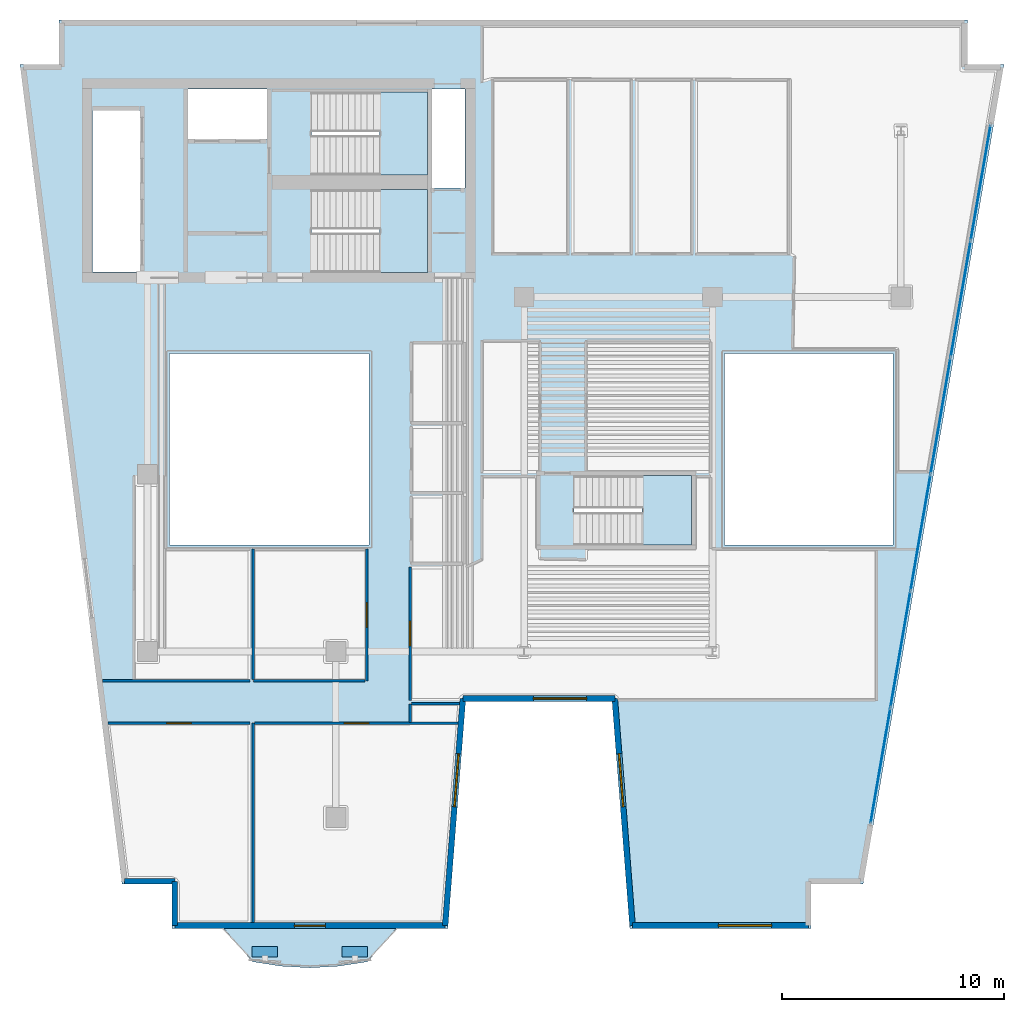
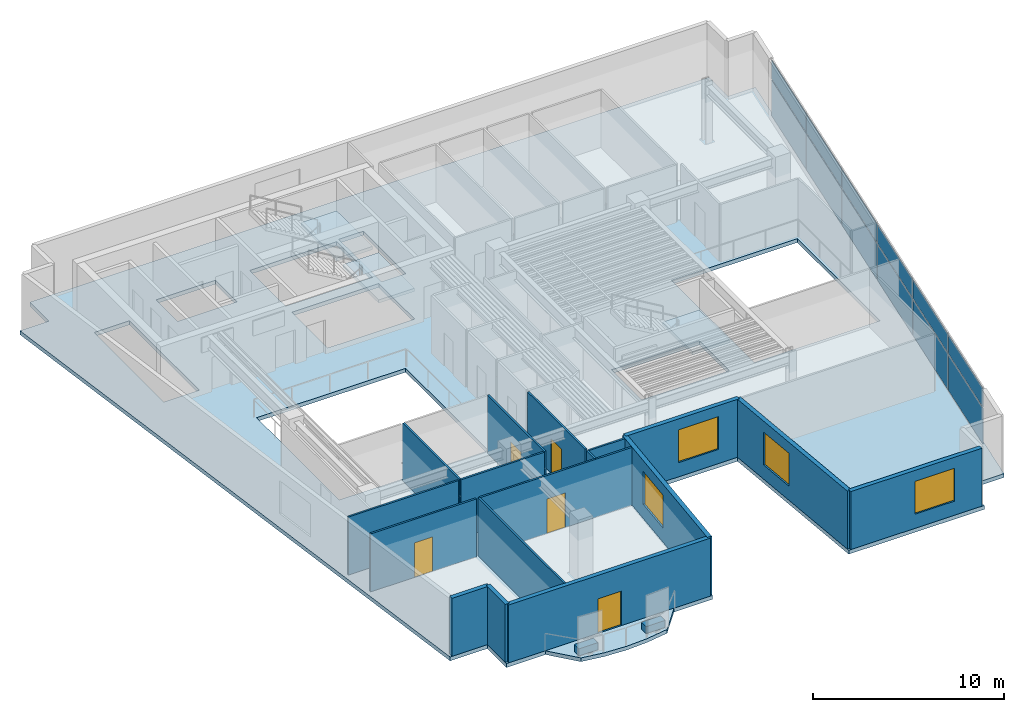
# One storey, part 3 of 9: 17 walls, 14 plates, 5 doors, 5 slabs, 4 windows, 9 openings, 4 elements without a shape of their own.
"""IFC4 building model written with IfcOpenShell, lengths in metres."""

from ifc_helpers import new_model, si_unit, direction, frame, frame_2d, origin, origin_2d, place, context, subcontext, project, spatial, polyline, rectangle, outline, extrude, material, layer, layer_set, type_object, element, fill, aggregate, save


model = new_model("IFC4")

# Units and contexts
model_context = context("Model", 3, precision=1e-05, world=origin(), true_north=direction((0.0, 1.0)))
body_context = subcontext(model_context, "Body", "Model", "MODEL_VIEW")
ifc_project = project(units=[si_unit("LENGTHUNIT", "METRE"), si_unit("AREAUNIT", "SQUARE_METRE"), si_unit("VOLUMEUNIT", "CUBIC_METRE"), si_unit("PLANEANGLEUNIT", "RADIAN"), si_unit("MASSUNIT", "GRAM", prefix="KILO")], contexts=[model_context])

# Site, building, storey
site_placement = place(None, origin())
site = spatial("IfcSite", under=ifc_project, at=site_placement, CompositionType="ELEMENT")
building_placement = place(site_placement, origin())
building = spatial("IfcBuilding", under=site, at=building_placement, Name="Caeloran Harvest Quay", CompositionType="ELEMENT")
storey_placement = place(building_placement, frame((0.0, 0.0, 199.550048828125)))
storey = spatial("IfcBuildingStorey", under=building, at=storey_placement, Name="L47", CompositionType="ELEMENT", Elevation=199.550048828125)

# Slab
ifc_material_1 = material(Name="Concrete C50/60", Category="concrete")
ifc_layer_1 = layer(ifc_material_1, 0.239990234375, Name="Concrete C50/60")
ifc_layer_set_1 = layer_set([ifc_layer_1], Name="Concrete C50/60")
slab_type_1 = type_object("IfcSlabType", Name="BALCONY-BL-240", PredefinedType="FLOOR", material=ifc_layer_set_1)
slab_1_placement = place(storey_placement, frame((0.0, 0.0, -0.239990234375)))
element("IfcSlab", 1, at=slab_1_placement, inside=storey, type_object=slab_type_1, Name="L47 Scalloped Cantilevered Planted Balcony Slab", PredefinedType="FLOOR", context=body_context, shape_type="SweptSolid", body=[
    extrude(outline(polyline([(18.43798828125, 1.002685546875), (17.136474609375, 0.7998046875), (15.834716796875, 0.7255859375), (14.533203125, 0.7998046875), (13.2314453125, 1.002685546875), (11.947021484375, 2.5), (19.72265625, 2.5), (18.43798828125, 1.002685546875)])), origin(), (0.0, 0.0, 1.0), 0.239990234375),
])

# Curtain wall, plates
ifc_material_2 = material(Name="Aluminium 6063-T6 and Low-E Glazing", Category="aluminium")
ifc_layer_2 = layer(ifc_material_2, 0.2099609375, Name="Aluminium 6063-T6 and Low-E Glazing")
ifc_layer_set_2 = layer_set([ifc_layer_2], Name="Aluminium 6063-T6 and Low-E Glazing")
curtain_wall_type = type_object("IfcCurtainWallType", Name="CW-SYS-CW-4", PredefinedType="USERDEFINED", material=ifc_layer_set_2)
curtain_wall_placement = place(storey_placement, origin())
curtain_wall = element("IfcCurtainWall", 2, at=curtain_wall_placement, inside=storey, type_object=curtain_wall_type, Name="L47 Unitised Curtain Wall CW-4 Run 9", ObjectType="CURTAIN_WALL", PredefinedType="USERDEFINED")
ifc_material_3 = material(Name="Low-E Double Glazed Vision Glass Unit", Category="glass")
ifc_layer_3 = layer(ifc_material_3, 0.035888671875, Name="Low-E Double Glazed Vision Glass Unit")
ifc_layer_set_3 = layer_set([ifc_layer_3], Name="Low-E Double Glazed Vision Glass Unit")
plate_type_1 = type_object("IfcPlateType", Name="CW-VISION-PANEL", PredefinedType="CURTAIN_PANEL", material=ifc_layer_set_3)
plate_1_placement = place(storey_placement, frame((46.105224609375, 36.1533203125, 0.080078125), z_axis=(0.0, 0.0, 1.0), x_axis=(-0.169392351048, -0.985548695604, 0.0)))
plate_1 = element("IfcPlate", 3, at=plate_1_placement, type_object=plate_type_1, Name="CW-4 panel 1.1", PredefinedType="CURTAIN_PANEL", context=body_context, shape_type="SweptSolid", body=[
    extrude(rectangle(XDim=5.2265625, YDim=0.035888671875, at=origin_2d()), origin(), (0.0, 0.0, 1.0), 2.280029296875),
])
plate_2_placement = place(storey_placement, frame((46.105224609375, 36.1533203125, 2.43994140625), z_axis=(0.0, 0.0, 1.0), x_axis=(-0.169392351048, -0.985548695604, 0.0)))
plate_2 = element("IfcPlate", 4, at=plate_2_placement, type_object=plate_type_1, Name="CW-4 panel 1.2", PredefinedType="CURTAIN_PANEL", context=body_context, shape_type="SweptSolid", body=[
    extrude(rectangle(XDim=5.2265625, YDim=0.035888671875, at=origin_2d()), origin(), (0.0, 0.0, 1.0), 1.179931640625),
])
plate_3_placement = place(storey_placement, frame((45.203125, 30.90380859375, 0.080078125), z_axis=(0.0, 0.0, 1.0), x_axis=(-0.169392351048, -0.985548695604, 0.0)))
plate_3 = element("IfcPlate", 5, at=plate_3_placement, type_object=plate_type_1, Name="CW-4 panel 2.1", PredefinedType="CURTAIN_PANEL", context=body_context, shape_type="SweptSolid", body=[
    extrude(rectangle(XDim=5.266357421875, YDim=0.035888671875, at=origin_2d()), origin(), (0.0, 0.0, 1.0), 2.280029296875),
])
plate_4_placement = place(storey_placement, frame((45.203125, 30.90380859375, 2.43994140625), z_axis=(0.0, 0.0, 1.0), x_axis=(-0.169392351048, -0.985548695604, 0.0)))
plate_4 = element("IfcPlate", 6, at=plate_4_placement, type_object=plate_type_1, Name="CW-4 panel 2.2", PredefinedType="CURTAIN_PANEL", context=body_context, shape_type="SweptSolid", body=[
    extrude(rectangle(XDim=5.266357421875, YDim=0.035888671875, at=origin_2d()), origin(), (0.0, 0.0, 1.0), 1.179931640625),
])
plate_5_placement = place(storey_placement, frame((44.29736328125, 25.634521484375, 0.080078125), z_axis=(0.0, 0.0, 1.0), x_axis=(-0.169392351048, -0.985548695604, 0.0)))
plate_5 = element("IfcPlate", 7, at=plate_5_placement, type_object=plate_type_1, Name="CW-4 panel 3.1", PredefinedType="CURTAIN_PANEL", context=body_context, shape_type="SweptSolid", body=[
    extrude(rectangle(XDim=5.266357421875, YDim=0.035888671875, at=origin_2d()), origin(), (0.0, 0.0, 1.0), 2.280029296875),
])
plate_6_placement = place(storey_placement, frame((44.29736328125, 25.634521484375, 2.43994140625), z_axis=(0.0, 0.0, 1.0), x_axis=(-0.169392351048, -0.985548695604, 0.0)))
plate_6 = element("IfcPlate", 8, at=plate_6_placement, type_object=plate_type_1, Name="CW-4 panel 3.2", PredefinedType="CURTAIN_PANEL", context=body_context, shape_type="SweptSolid", body=[
    extrude(rectangle(XDim=5.266357421875, YDim=0.035888671875, at=origin_2d()), origin(), (0.0, 0.0, 1.0), 1.179931640625),
])
plate_7_placement = place(storey_placement, frame((43.391845703125, 20.365478515625, 0.080078125), z_axis=(0.0, 0.0, 1.0), x_axis=(-0.169392351048, -0.985548695604, 0.0)))
plate_7 = element("IfcPlate", 9, at=plate_7_placement, type_object=plate_type_1, Name="CW-4 panel 4.1", PredefinedType="CURTAIN_PANEL", context=body_context, shape_type="SweptSolid", body=[
    extrude(rectangle(XDim=5.266357421875, YDim=0.035888671875, at=origin_2d()), origin(), (0.0, 0.0, 1.0), 2.280029296875),
])
plate_8_placement = place(storey_placement, frame((43.391845703125, 20.365478515625, 2.43994140625), z_axis=(0.0, 0.0, 1.0), x_axis=(-0.169392351048, -0.985548695604, 0.0)))
plate_8 = element("IfcPlate", 10, at=plate_8_placement, type_object=plate_type_1, Name="CW-4 panel 4.2", PredefinedType="CURTAIN_PANEL", context=body_context, shape_type="SweptSolid", body=[
    extrude(rectangle(XDim=5.266357421875, YDim=0.035888671875, at=origin_2d()), origin(), (0.0, 0.0, 1.0), 1.179931640625),
])
plate_9_placement = place(storey_placement, frame((42.486083984375, 15.09619140625, 0.080078125), z_axis=(0.0, 0.0, 1.0), x_axis=(-0.169392351048, -0.985548695604, 0.0)))
plate_9 = element("IfcPlate", 11, at=plate_9_placement, type_object=plate_type_1, Name="CW-4 panel 5.1", PredefinedType="CURTAIN_PANEL", context=body_context, shape_type="SweptSolid", body=[
    extrude(rectangle(XDim=5.266357421875, YDim=0.035888671875, at=origin_2d()), origin(), (0.0, 0.0, 1.0), 2.280029296875),
])
plate_10_placement = place(storey_placement, frame((42.486083984375, 15.09619140625, 2.43994140625), z_axis=(0.0, 0.0, 1.0), x_axis=(-0.169392351048, -0.985548695604, 0.0)))
plate_10 = element("IfcPlate", 12, at=plate_10_placement, type_object=plate_type_1, Name="CW-4 panel 5.2", PredefinedType="CURTAIN_PANEL", context=body_context, shape_type="SweptSolid", body=[
    extrude(rectangle(XDim=5.266357421875, YDim=0.035888671875, at=origin_2d()), origin(), (0.0, 0.0, 1.0), 1.179931640625),
])
plate_11_placement = place(storey_placement, frame((41.583740234375, 9.8466796875, 0.080078125), z_axis=(0.0, 0.0, 1.0), x_axis=(-0.169392351048, -0.985548695604, 0.0)))
plate_11 = element("IfcPlate", 13, at=plate_11_placement, type_object=plate_type_1, Name="CW-4 panel 6.1", PredefinedType="CURTAIN_PANEL", context=body_context, shape_type="SweptSolid", body=[
    extrude(rectangle(XDim=5.2265625, YDim=0.035888671875, at=origin_2d()), origin(), (0.0, 0.0, 1.0), 2.280029296875),
])
plate_12_placement = place(storey_placement, frame((41.583740234375, 9.8466796875, 2.43994140625), z_axis=(0.0, 0.0, 1.0), x_axis=(-0.169392351048, -0.985548695604, 0.0)))
plate_12 = element("IfcPlate", 14, at=plate_12_placement, type_object=plate_type_1, Name="CW-4 panel 6.2", PredefinedType="CURTAIN_PANEL", context=body_context, shape_type="SweptSolid", body=[
    extrude(rectangle(XDim=5.2265625, YDim=0.035888671875, at=origin_2d()), origin(), (0.0, 0.0, 1.0), 1.179931640625),
])
aggregate(curtain_wall, [plate_1, plate_2, plate_3, plate_4, plate_5, plate_6, plate_7, plate_8, plate_9, plate_10, plate_11, plate_12])

# Plates
ifc_material_4 = material(Name="Precast concrete C50/60", Category="concrete")
ifc_layer_4 = layer(ifc_material_4, 0.449951171875, Name="Precast concrete C50/60")
ifc_layer_set_4 = layer_set([ifc_layer_4], Name="Precast concrete C50/60")
plate_type_2 = type_object("IfcPlateType", Name="PLANTER-TROUGH-450", PredefinedType="USERDEFINED", material=ifc_layer_set_4)
for number, where, z_axis, x_axis, name in (
    (15, (17.865478515625, 1.44921875, 0.0), (0.0, 0.0, 1.0), (1.0, 0.0, 0.0), "L47 Balcony Vertical-Greenery Precast PLANTER Trough 1"),
    (16, (13.80419921875, 1.44921875, 0.0), (0.0, 0.0, 1.0), (1.0, 0.0, 0.0), "L47 Balcony Vertical-Greenery Precast PLANTER Trough 2"),
):
    element("IfcPlate", number, at=place(storey_placement, frame(where, z_axis=z_axis, x_axis=x_axis)), inside=storey, type_object=plate_type_2, Name=name, ObjectType="PLANTER", PredefinedType="USERDEFINED", context=body_context, shape_type="SweptSolid", body=[
        extrude(rectangle(XDim=1.14990234375, YDim=0.47998046875, at=origin_2d()), origin(), (0.0, 0.0, 1.0), 0.449951171875),
    ])

# Slab
ifc_layer_5 = layer(ifc_material_1, 0.25, Name="Concrete C50/60")
ifc_layer_set_5 = layer_set([ifc_layer_5], Name="Concrete C50/60")
slab_type_2 = type_object("IfcSlabType", Name="SLAB-FS-250", PredefinedType="FLOOR", material=ifc_layer_set_5)
slab_2_placement = place(storey_placement, frame((0.0, 0.0, -0.25)))
element("IfcSlab", 17, at=slab_2_placement, inside=storey, type_object=slab_type_2, Name="L47 Structural Floor Slab", PredefinedType="FLOOR", context=body_context, shape_type="SweptSolid", body=[
    extrude(outline(polyline([(9.60302734375, 2.5), (22.056884765625, 2.5), (22.85693359375, 12.75), (29.469482421875, 12.75), (30.26953125, 2.5), (38.452880859375, 2.5), (38.452880859375, 4.5), (40.796875, 4.5), (47.15625, 41.5), (45.5, 41.5), (45.5, 43.5), (4.5, 43.5), (4.5, 41.5), (2.748779296875, 41.5), (7.35400390625, 4.5), (9.60302734375, 4.5), (9.60302734375, 2.5)]), holes=[polyline([(27.75, 19.800048828125), (27.75, 22.949951171875), (33.050048828125, 22.949951171875), (33.050048828125, 19.800048828125), (27.75, 19.800048828125)]), polyline([(18.5, 19.800048828125), (9.5, 19.800048828125), (9.5, 28.449951171875), (18.5, 28.449951171875), (18.5, 19.800048828125)]), polyline([(42.14990234375, 19.800048828125), (34.550048828125, 19.800048828125), (34.550048828125, 28.449951171875), (42.14990234375, 28.449951171875), (42.14990234375, 19.800048828125)]), polyline([(15.89990234375, 32.10009765625), (15.89990234375, 35.85009765625), (21.14990234375, 35.85009765625), (21.14990234375, 32.10009765625), (15.89990234375, 32.10009765625)]), polyline([(8.159912109375, 32.1201171875), (6.02001953125, 32.1201171875), (6.02001953125, 39.419921875), (8.159912109375, 39.419921875), (8.159912109375, 32.1201171875)]), polyline([(22.830078125, 35.919921875), (21.35009765625, 35.919921875), (21.35009765625, 40.3798828125), (22.830078125, 40.3798828125), (22.830078125, 35.919921875)]), polyline([(15.89990234375, 36.5), (15.89990234375, 40.25), (21.14990234375, 40.25), (21.14990234375, 36.5), (15.89990234375, 36.5)]), polyline([(13.89990234375, 38.1201171875), (10.320068359375, 38.1201171875), (10.320068359375, 40.3798828125), (13.89990234375, 40.3798828125), (13.89990234375, 38.1201171875)])]), origin(), (0.0, 0.0, 1.0), 0.25),
])

# Stair, slab
stair_type_1 = type_object("IfcStairType", Name="STAIR-STC-180", PredefinedType="HALF_TURN_STAIR", material=ifc_material_1)
stair_1_placement = place(storey_placement, origin())
stair_1 = element("IfcStair", 18, at=stair_1_placement, inside=storey, type_object=stair_type_1, Name="L47 Core Pressurized Exit Stair ST-C1", PredefinedType="HALF_TURN_STAIR")
ifc_layer_6 = layer(ifc_material_1, 0.219970703125, Name="Concrete C50/60")
ifc_layer_set_6 = layer_set([ifc_layer_6], Name="Concrete C50/60")
slab_type_3 = type_object("IfcSlabType", Name="STAIR-LANDING-220", PredefinedType="LANDING", material=ifc_layer_set_6)
slab_3_placement = place(storey_placement, frame((0.0, 0.0, 1.77490234375)))
slab_3 = element("IfcSlab", 19, at=slab_3_placement, type_object=slab_type_3, Name="ST-C1 landing 1", PredefinedType="LANDING", context=body_context, shape_type="SweptSolid", body=[
    extrude(outline(polyline([(18.97998046875, 36.5), (21.14990234375, 36.5), (21.14990234375, 40.25), (18.97998046875, 40.25), (18.97998046875, 36.5)])), origin(), (0.0, 0.0, 1.0), 0.199951171875),
])
aggregate(stair_1, [slab_3])

stair_2_placement = place(storey_placement, origin())
stair_2 = element("IfcStair", 20, at=stair_2_placement, inside=storey, type_object=stair_type_1, Name="L47 Core Pressurized Exit Stair ST-C2", PredefinedType="HALF_TURN_STAIR")
slab_4_placement = place(storey_placement, frame((0.0, 0.0, 1.77490234375)))
slab_4 = element("IfcSlab", 21, at=slab_4_placement, type_object=slab_type_3, Name="ST-C2 landing 1", PredefinedType="LANDING", context=body_context, shape_type="SweptSolid", body=[
    extrude(outline(polyline([(18.97998046875, 32.10009765625), (21.14990234375, 32.10009765625), (21.14990234375, 35.85009765625), (18.97998046875, 35.85009765625), (18.97998046875, 32.10009765625)])), origin(), (0.0, 0.0, 1.0), 0.199951171875),
])
aggregate(stair_2, [slab_4])

stair_type_2 = type_object("IfcStairType", Name="STAIR-STW-150", PredefinedType="HALF_TURN_STAIR", material=ifc_material_1)
stair_3_placement = place(storey_placement, origin())
stair_3 = element("IfcStair", 22, at=stair_3_placement, inside=storey, type_object=stair_type_2, Name="L47 East Wing Protected Exit Stair ST-W1", PredefinedType="HALF_TURN_STAIR")
slab_5_placement = place(storey_placement, frame((0.0, 0.0, 1.77490234375)))
slab_5 = element("IfcSlab", 23, at=slab_5_placement, type_object=slab_type_3, Name="ST-W1 landing 1", PredefinedType="LANDING", context=body_context, shape_type="SweptSolid", body=[
    extrude(outline(polyline([(30.830078125, 19.800048828125), (33.050048828125, 19.800048828125), (33.050048828125, 22.949951171875), (30.830078125, 22.949951171875), (30.830078125, 19.800048828125)])), origin(), (0.0, 0.0, 1.0), 0.199951171875),
])
aggregate(stair_3, [slab_5])

# Walls
ifc_layer_7 = layer(ifc_material_4, 0.260009765625, Name="Precast concrete C50/60")
ifc_layer_set_7 = layer_set([ifc_layer_7], Name="Precast concrete C50/60")
wall_type_1 = type_object("IfcWallType", Name="ENV-WALL-EW-260", PredefinedType="STANDARD", material=ifc_layer_set_7)
wall_1_placement = place(storey_placement, frame((9.73291015625, 2.6298828125, 0.0), z_axis=(0.0, 0.0, 1.0), x_axis=(0.0, 1.0, 0.0)))
element("IfcWall", 24, at=wall_1_placement, inside=storey, type_object=wall_type_1, Name="L47 Exterior Precast Concrete Facade Wall 1", PredefinedType="STANDARD", context=body_context, shape_type="SweptSolid", body=[
    extrude(rectangle(XDim=2.0, YDim=0.260009765625, at=frame_2d((1.0, 0.0))), origin(), (0.0, 0.0, 1.0), 3.699951171875),
])
wall_2_placement = place(storey_placement, frame((9.73291015625, 4.6298828125, 0.0), z_axis=(0.0, 0.0, 1.0), x_axis=(-1.0, 0.0, 0.0)))
element("IfcWall", 25, at=wall_2_placement, inside=storey, type_object=wall_type_1, Name="L47 Exterior Precast Concrete Facade Wall 2", PredefinedType="STANDARD", context=body_context, shape_type="SweptSolid", body=[
    extrude(rectangle(XDim=2.263916015625, YDim=0.260009765625, at=frame_2d((1.1318359375, 0.0))), origin(), (0.0, 0.0, 1.0), 3.699951171875),
])

# Wall, opening, window
wall_3_placement = place(storey_placement, frame((38.322998046875, 2.6298828125, 0.0), z_axis=(0.0, 0.0, 1.0), x_axis=(-1.0, 0.0, 0.0)))
wall_3 = element("IfcWall", 26, at=wall_3_placement, inside=storey, type_object=wall_type_1, Name="L47 Exterior Precast Concrete Facade Wall 12", PredefinedType="STANDARD", context=body_context, shape_type="SweptSolid", body=[
    extrude(rectangle(XDim=7.933349609375, YDim=0.260009765625, at=frame_2d((3.966796875, 0.0))), origin(), (0.0, 0.0, 1.0), 3.699951171875),
])
opening_1_placement = place(wall_3_placement, frame((1.656005859375, 0.0, 0.89990234375)))
opening_1 = element("IfcOpeningElement", 27, at=opening_1_placement, cuts=wall_3, Name="Opening W-02", PredefinedType="OPENING", context=body_context, shape_type="SweptSolid", body=[
    extrude(rectangle(XDim=2.39990234375, YDim=2.10009765625, at=frame_2d((1.199951171875, 1.050048828125))), frame((0.0, 0.14013671875, 0.0), z_axis=(0.0, -1.0, 0.0), x_axis=(1.0, 0.0, 0.0)), (0.0, 0.0, 1.0), 0.280029296875),
])
ifc_material_5 = material(Name="Aluminium-Framed Low-E Laminated Glass", Category="aluminium")
window_type = type_object("IfcWindowType", Name="WIN-W-02", PartitioningType="DOUBLE_PANEL_VERTICAL", PredefinedType="WINDOW", material=ifc_material_5)
window_1_placement = place(opening_1_placement, origin())
window_1 = element("IfcWindow", 28, at=window_1_placement, inside=storey, type_object=window_type, Name="L47 Facade Punched Window W-02", OverallHeight=2.10009765625, OverallWidth=2.39990234375, PartitioningType="DOUBLE_PANEL_VERTICAL", PredefinedType="WINDOW", context=body_context, shape_type="SweptSolid", body=[
    extrude(rectangle(XDim=2.39990234375, YDim=2.10009765625, at=frame_2d((1.199951171875, 1.050048828125))), frame((0.0, 0.030029296875, 0.0), z_axis=(0.0, -1.0, 0.0), x_axis=(1.0, 0.0, 0.0)), (0.0, 0.0, 1.0), 0.06005859375),
])
fill(opening_1, window_1)

wall_4_placement = place(storey_placement, frame((30.3896484375, 2.6298828125, 0.0), z_axis=(0.0, 0.0, 1.0), x_axis=(-0.077816860153, 0.996967670627, 0.0)))
wall_4 = element("IfcWall", 29, at=wall_4_placement, inside=storey, type_object=wall_type_1, Name="L47 Exterior Precast Concrete Facade Wall 13", PredefinedType="STANDARD", context=body_context, shape_type="SweptSolid", body=[
    extrude(rectangle(XDim=10.28125, YDim=0.260009765625, at=frame_2d((5.140625, 0.0))), origin(), (0.0, 0.0, 1.0), 3.699951171875),
])
opening_2_placement = place(wall_4_placement, frame((5.3798828125, 0.0, 0.89990234375)))
opening_2 = element("IfcOpeningElement", 30, at=opening_2_placement, cuts=wall_4, Name="Opening W-02", PredefinedType="OPENING", context=body_context, shape_type="SweptSolid", body=[
    extrude(rectangle(XDim=2.39990234375, YDim=2.10009765625, at=frame_2d((1.199951171875, 1.050048828125))), frame((0.0, 0.14013671875, 0.0), z_axis=(0.0, -1.0, 0.0), x_axis=(1.0, 0.0, 0.0)), (0.0, 0.0, 1.0), 0.280029296875),
])
window_2_placement = place(opening_2_placement, origin())
window_2 = element("IfcWindow", 31, at=window_2_placement, inside=storey, type_object=window_type, Name="L47 Facade Punched Window W-02", OverallHeight=2.10009765625, OverallWidth=2.39990234375, PartitioningType="DOUBLE_PANEL_VERTICAL", PredefinedType="WINDOW", context=body_context, shape_type="SweptSolid", body=[
    extrude(rectangle(XDim=2.39990234375, YDim=2.10009765625, at=frame_2d((1.199951171875, 1.050048828125))), frame((0.0, 0.030029296875, 0.0), z_axis=(0.0, -1.0, 0.0), x_axis=(1.0, 0.0, 0.0)), (0.0, 0.0, 1.0), 0.06005859375),
])
fill(opening_2, window_2)

wall_5_placement = place(storey_placement, frame((29.589599609375, 12.8798828125, 0.0), z_axis=(0.0, 0.0, 1.0), x_axis=(-1.0, 0.0, 0.0)))
wall_5 = element("IfcWall", 32, at=wall_5_placement, inside=storey, type_object=wall_type_1, Name="L47 Exterior Precast Concrete Facade Wall 14", PredefinedType="STANDARD", context=body_context, shape_type="SweptSolid", body=[
    extrude(rectangle(XDim=6.852783203125, YDim=0.260009765625, at=frame_2d((3.42626953125, 0.0))), origin(), (0.0, 0.0, 1.0), 3.699951171875),
])
opening_3_placement = place(wall_5_placement, frame((1.26708984375, 0.0, 0.89990234375)))
opening_3 = element("IfcOpeningElement", 33, at=opening_3_placement, cuts=wall_5, Name="Opening W-02", PredefinedType="OPENING", context=body_context, shape_type="SweptSolid", body=[
    extrude(rectangle(XDim=2.39990234375, YDim=2.10009765625, at=frame_2d((1.199951171875, 1.050048828125))), frame((0.0, 0.14013671875, 0.0), z_axis=(0.0, -1.0, 0.0), x_axis=(1.0, 0.0, 0.0)), (0.0, 0.0, 1.0), 0.280029296875),
])
window_3_placement = place(opening_3_placement, origin())
window_3 = element("IfcWindow", 34, at=window_3_placement, inside=storey, type_object=window_type, Name="L47 Facade Punched Window W-02", OverallHeight=2.10009765625, OverallWidth=2.39990234375, PartitioningType="DOUBLE_PANEL_VERTICAL", PredefinedType="WINDOW", context=body_context, shape_type="SweptSolid", body=[
    extrude(rectangle(XDim=2.39990234375, YDim=2.10009765625, at=frame_2d((1.199951171875, 1.050048828125))), frame((0.0, 0.030029296875, 0.0), z_axis=(0.0, -1.0, 0.0), x_axis=(1.0, 0.0, 0.0)), (0.0, 0.0, 1.0), 0.06005859375),
])
fill(opening_3, window_3)

wall_6_placement = place(storey_placement, frame((22.73681640625, 12.8798828125, 0.0), z_axis=(0.0, 0.0, 1.0), x_axis=(-0.077816860153, -0.996967670627, 0.0)))
wall_6 = element("IfcWall", 35, at=wall_6_placement, inside=storey, type_object=wall_type_1, Name="L47 Exterior Precast Concrete Facade Wall 15", PredefinedType="STANDARD", context=body_context, shape_type="SweptSolid", body=[
    extrude(rectangle(XDim=10.28125, YDim=0.260009765625, at=frame_2d((5.140625, 0.0))), origin(), (0.0, 0.0, 1.0), 3.699951171875),
])
opening_4_placement = place(wall_6_placement, frame((2.5009765625, 0.0, 0.89990234375)))
opening_4 = element("IfcOpeningElement", 36, at=opening_4_placement, cuts=wall_6, Name="Opening W-02", PredefinedType="OPENING", context=body_context, shape_type="SweptSolid", body=[
    extrude(rectangle(XDim=2.39990234375, YDim=2.10009765625, at=frame_2d((1.199951171875, 1.050048828125))), frame((0.0, 0.14013671875, 0.0), z_axis=(0.0, -1.0, 0.0), x_axis=(1.0, 0.0, 0.0)), (0.0, 0.0, 1.0), 0.280029296875),
])
window_4_placement = place(opening_4_placement, origin())
window_4 = element("IfcWindow", 37, at=window_4_placement, inside=storey, type_object=window_type, Name="L47 Facade Punched Window W-02", OverallHeight=2.10009765625, OverallWidth=2.39990234375, PartitioningType="DOUBLE_PANEL_VERTICAL", PredefinedType="WINDOW", context=body_context, shape_type="SweptSolid", body=[
    extrude(rectangle(XDim=2.39990234375, YDim=2.10009765625, at=frame_2d((1.199951171875, 1.050048828125))), frame((0.0, 0.030029296875, 0.0), z_axis=(0.0, -1.0, 0.0), x_axis=(1.0, 0.0, 0.0)), (0.0, 0.0, 1.0), 0.06005859375),
])
fill(opening_4, window_4)

# Wall, opening, door
wall_7_placement = place(storey_placement, frame((21.936767578125, 2.6298828125, 0.0), z_axis=(0.0, 0.0, 1.0), x_axis=(-1.0, 0.0, 0.0)))
wall_7 = element("IfcWall", 38, at=wall_7_placement, inside=storey, type_object=wall_type_1, Name="L47 Exterior Precast Concrete Facade Wall 16", PredefinedType="STANDARD", context=body_context, shape_type="SweptSolid", body=[
    extrude(rectangle(XDim=12.203857421875, YDim=0.260009765625, at=frame_2d((6.10205078125, 0.0))), origin(), (0.0, 0.0, 1.0), 3.699951171875),
])
opening_5_placement = place(wall_7_placement, frame((5.402099609375, 0.0, 0.0)))
opening_5 = element("IfcOpeningElement", 39, at=opening_5_placement, cuts=wall_7, Name="Opening BD-02", PredefinedType="OPENING", context=body_context, shape_type="SweptSolid", body=[
    extrude(rectangle(XDim=1.39990234375, YDim=2.199951171875, at=frame_2d((0.699951171875, 1.10009765625))), frame((0.0, 0.14013671875, 0.0), z_axis=(0.0, -1.0, 0.0), x_axis=(1.0, 0.0, 0.0)), (0.0, 0.0, 1.0), 0.280029296875),
])
ifc_material_6 = material(Name="Thermally Broken Powder-Coated Aluminium and Safety Glass", Category="aluminium")
door_type_1 = type_object("IfcDoorType", Name="EXTDOOR-BD-02", OperationType="NOTDEFINED", PredefinedType="DOOR", material=ifc_material_6)
door_1_placement = place(opening_5_placement, origin())
door_1 = element("IfcDoor", 40, at=door_1_placement, inside=storey, type_object=door_type_1, Name="L47 Planted Balcony Glazed Access Door", OperationType="SINGLE_SWING_RIGHT", OverallHeight=2.199951171875, OverallWidth=1.39990234375, PredefinedType="DOOR", context=body_context, shape_type="SweptSolid", body=[
    extrude(rectangle(XDim=1.39990234375, YDim=2.199951171875, at=frame_2d((0.699951171875, 1.10009765625))), frame((0.0, 0.02490234375, 0.0), z_axis=(0.0, -1.0, 0.0), x_axis=(1.0, 0.0, 0.0)), (0.0, 0.0, 1.0), 0.050048828125),
])
fill(opening_5, door_1)

# Walls
ifc_material_7 = material(Name="Single-Stud Acoustic Gypsum Office Partition", Category="gypsum")
ifc_layer_8 = layer(ifc_material_7, 0.112060546875, Name="Single-Stud Acoustic Gypsum Office Partition")
ifc_layer_set_8 = layer_set([ifc_layer_8], Name="Single-Stud Acoustic Gypsum Office Partition")
wall_type_2 = type_object("IfcWallType", Name="INT-WALL-PW-112", PredefinedType="PARTITIONING", material=ifc_layer_set_8)
wall_8_placement = place(storey_placement, frame((20.35009765625, 11.800048828125, 0.0), z_axis=(0.0, 0.0, 1.0), x_axis=(0.0, 1.0, 0.0)))
element("IfcWall", 41, at=wall_8_placement, inside=storey, type_object=wall_type_2, Name="Green-Bond Investment Office Partition Wall", PredefinedType="PARTITIONING", context=body_context, shape_type="SweptSolid", body=[
    extrude(rectangle(XDim=0.83984375, YDim=0.112060546875, at=frame_2d((0.419921875, 0.0))), origin(), (0.0, 0.0, 1.0), 3.699951171875),
])
wall_9_placement = place(storey_placement, frame((20.410888671875, 12.639892578125, 0.0), z_axis=(0.0, 0.0, 1.0), x_axis=(1.0, 0.0, 0.0)))
element("IfcWall", 42, at=wall_9_placement, inside=storey, type_object=wall_type_2, Name="Green-Bond Investment Office Partition Wall", PredefinedType="PARTITIONING", context=body_context, shape_type="SweptSolid", body=[
    extrude(rectangle(XDim=2.171875, YDim=0.112060546875, at=frame_2d((1.0859375, 0.0))), origin(), (0.0, 0.0, 1.0), 3.699951171875),
])
wall_10_placement = place(storey_placement, frame((13.280029296875, 2.764892578125, 0.0), z_axis=(0.0, 0.0, 1.0), x_axis=(0.0, 1.0, 0.0)))
element("IfcWall", 43, at=wall_10_placement, inside=storey, type_object=wall_type_2, Name="Green-Bond Investment Office Partition Wall", PredefinedType="PARTITIONING", context=body_context, shape_type="SweptSolid", body=[
    extrude(rectangle(XDim=9.005126953125, YDim=0.112060546875, at=frame_2d((4.50244140625, 0.0))), origin(), (0.0, 0.0, 1.0), 3.699951171875),
])

# Wall, opening, door
wall_11_placement = place(storey_placement, frame((13.341064453125, 11.77001953125, 0.0), z_axis=(0.0, 0.0, 1.0), x_axis=(1.0, 0.0, 0.0)))
wall_11 = element("IfcWall", 44, at=wall_11_placement, inside=storey, type_object=wall_type_2, Name="Green-Bond Investment Office Partition Wall", PredefinedType="PARTITIONING", context=body_context, shape_type="SweptSolid", body=[
    extrude(rectangle(XDim=9.173828125, YDim=0.112060546875, at=frame_2d((4.5869140625, 0.0))), origin(), (0.0, 0.0, 1.0), 3.699951171875),
])
opening_6_placement = place(wall_11_placement, frame((4.036865234375, 0.0, 0.0)))
opening_6 = element("IfcOpeningElement", 45, at=opening_6_placement, cuts=wall_11, Name="Opening ID-04", PredefinedType="OPENING", context=body_context, shape_type="SweptSolid", body=[
    extrude(rectangle(XDim=1.10009765625, YDim=2.199951171875, at=frame_2d((0.550048828125, 1.10009765625))), frame((0.0, 0.06591796875, 0.0), z_axis=(0.0, -1.0, 0.0), x_axis=(1.0, 0.0, 0.0)), (0.0, 0.0, 1.0), 0.132080078125),
])
ifc_material_8 = material(Name="Acoustic Walnut Veneer Executive Door", Category="wood")
door_type_2 = type_object("IfcDoorType", Name="INTDOOR-ID-04", OperationType="NOTDEFINED", PredefinedType="DOOR", material=ifc_material_8)
door_2_placement = place(opening_6_placement, origin())
door_2 = element("IfcDoor", 46, at=door_2_placement, inside=storey, type_object=door_type_2, Name="Green-Bond Investment Office Access Door", OperationType="SINGLE_SWING_LEFT", OverallHeight=2.199951171875, OverallWidth=1.10009765625, PredefinedType="DOOR", context=body_context, shape_type="SweptSolid", body=[
    extrude(rectangle(XDim=1.10009765625, YDim=2.199951171875, at=frame_2d((0.550048828125, 1.10009765625))), frame((0.0, 0.02490234375, 0.0), z_axis=(0.0, -1.0, 0.0), x_axis=(1.0, 0.0, 0.0)), (0.0, 0.0, 1.0), 0.050048828125),
])
fill(opening_6, door_2)

wall_12_placement = place(storey_placement, frame((6.71630859375, 11.77001953125, 0.0), z_axis=(0.0, 0.0, 1.0), x_axis=(1.0, 0.0, 0.0)))
wall_12 = element("IfcWall", 47, at=wall_12_placement, inside=storey, type_object=wall_type_2, Name="ESG Carbon Desk Workspace Partition Wall", PredefinedType="PARTITIONING", context=body_context, shape_type="SweptSolid", body=[
    extrude(rectangle(XDim=6.40380859375, YDim=0.112060546875, at=frame_2d((3.201904296875, 0.0))), origin(), (0.0, 0.0, 1.0), 3.699951171875),
])
opening_7_placement = place(wall_12_placement, frame((2.65185546875, 0.0, 0.0)))
opening_7 = element("IfcOpeningElement", 48, at=opening_7_placement, cuts=wall_12, Name="Opening ID-04", PredefinedType="OPENING", context=body_context, shape_type="SweptSolid", body=[
    extrude(rectangle(XDim=1.10009765625, YDim=2.199951171875, at=frame_2d((0.550048828125, 1.10009765625))), frame((0.0, 0.06591796875, 0.0), z_axis=(0.0, -1.0, 0.0), x_axis=(1.0, 0.0, 0.0)), (0.0, 0.0, 1.0), 0.132080078125),
])
door_3_placement = place(opening_7_placement, origin())
door_3 = element("IfcDoor", 49, at=door_3_placement, inside=storey, type_object=door_type_2, Name="ESG Carbon Desk Workspace Access Door", OperationType="SINGLE_SWING_RIGHT", OverallHeight=2.199951171875, OverallWidth=1.10009765625, PredefinedType="DOOR", context=body_context, shape_type="SweptSolid", body=[
    extrude(rectangle(XDim=1.10009765625, YDim=2.199951171875, at=frame_2d((0.550048828125, 1.10009765625))), frame((0.0, 0.02490234375, 0.0), z_axis=(0.0, -1.0, 0.0), x_axis=(1.0, 0.0, 0.0)), (0.0, 0.0, 1.0), 0.050048828125),
])
fill(opening_7, door_3)

wall_13_placement = place(storey_placement, frame((20.35009765625, 12.800048828125, 0.0), z_axis=(0.0, 0.0, 1.0), x_axis=(0.0, 1.0, 0.0)))
wall_13 = element("IfcWall", 50, at=wall_13_placement, inside=storey, type_object=wall_type_2, Name="Corporate Legal Counsel Office Partition Wall", PredefinedType="PARTITIONING", context=body_context, shape_type="SweptSolid", body=[
    extrude(rectangle(XDim=6.010009765625, YDim=0.112060546875, at=frame_2d((3.0048828125, 0.0))), origin(), (0.0, 0.0, 1.0), 3.699951171875),
])
opening_8_placement = place(wall_13_placement, frame((2.455078125, 0.0, 0.0)))
opening_8 = element("IfcOpeningElement", 51, at=opening_8_placement, cuts=wall_13, Name="Opening ID-04", PredefinedType="OPENING", context=body_context, shape_type="SweptSolid", body=[
    extrude(rectangle(XDim=1.10009765625, YDim=2.199951171875, at=frame_2d((0.550048828125, 1.10009765625))), frame((0.0, 0.06591796875, 0.0), z_axis=(0.0, -1.0, 0.0), x_axis=(1.0, 0.0, 0.0)), (0.0, 0.0, 1.0), 0.132080078125),
])
door_4_placement = place(opening_8_placement, origin())
door_4 = element("IfcDoor", 52, at=door_4_placement, inside=storey, type_object=door_type_2, Name="Corporate Legal Counsel Office Access Door", OperationType="SINGLE_SWING_LEFT", OverallHeight=2.199951171875, OverallWidth=1.10009765625, PredefinedType="DOOR", context=body_context, shape_type="SweptSolid", body=[
    extrude(rectangle(XDim=1.10009765625, YDim=2.199951171875, at=frame_2d((0.550048828125, 1.10009765625))), frame((0.0, 0.02490234375, 0.0), z_axis=(0.0, -1.0, 0.0), x_axis=(1.0, 0.0, 0.0)), (0.0, 0.0, 1.0), 0.050048828125),
])
fill(opening_8, door_4)

wall_14_placement = place(storey_placement, frame((18.389892578125, 19.6201171875, 0.0), z_axis=(0.0, 0.0, 1.0), x_axis=(0.0, -1.0, 0.0)))
wall_14 = element("IfcWall", 53, at=wall_14_placement, inside=storey, type_object=wall_type_2, Name="Executive Partner Office Partition Wall", PredefinedType="PARTITIONING", context=body_context, shape_type="SweptSolid", body=[
    extrude(rectangle(XDim=5.940185546875, YDim=0.112060546875, at=frame_2d((2.97021484375, 0.0))), origin(), (0.0, 0.0, 1.0), 3.699951171875),
])
opening_9_placement = place(wall_14_placement, frame((2.419921875, 0.0, 0.0)))
opening_9 = element("IfcOpeningElement", 54, at=opening_9_placement, cuts=wall_14, Name="Opening ID-04", PredefinedType="OPENING", context=body_context, shape_type="SweptSolid", body=[
    extrude(rectangle(XDim=1.10009765625, YDim=2.199951171875, at=frame_2d((0.550048828125, 1.10009765625))), frame((0.0, 0.06591796875, 0.0), z_axis=(0.0, -1.0, 0.0), x_axis=(1.0, 0.0, 0.0)), (0.0, 0.0, 1.0), 0.132080078125),
])
door_5_placement = place(opening_9_placement, origin())
door_5 = element("IfcDoor", 55, at=door_5_placement, inside=storey, type_object=door_type_2, Name="Executive Partner Office Access Door", OperationType="SINGLE_SWING_RIGHT", OverallHeight=2.199951171875, OverallWidth=1.10009765625, PredefinedType="DOOR", context=body_context, shape_type="SweptSolid", body=[
    extrude(rectangle(XDim=1.10009765625, YDim=2.199951171875, at=frame_2d((0.550048828125, 1.10009765625))), frame((0.0, 0.02490234375, 0.0), z_axis=(0.0, -1.0, 0.0), x_axis=(1.0, 0.0, 0.0)), (0.0, 0.0, 1.0), 0.050048828125),
])
fill(opening_9, door_5)

# Walls
wall_15_placement = place(storey_placement, frame((18.3291015625, 13.679931640625, 0.0), z_axis=(0.0, 0.0, 1.0), x_axis=(-1.0, 0.0, 0.0)))
element("IfcWall", 56, at=wall_15_placement, inside=storey, type_object=wall_type_2, Name="Executive Partner Office Partition Wall", PredefinedType="PARTITIONING", context=body_context, shape_type="SweptSolid", body=[
    extrude(rectangle(XDim=5.049072265625, YDim=0.112060546875, at=frame_2d((2.5244140625, 0.0))), origin(), (0.0, 0.0, 1.0), 3.699951171875),
])
wall_16_placement = place(storey_placement, frame((13.280029296875, 13.740966796875, 0.0), z_axis=(0.0, 0.0, 1.0), x_axis=(0.0, 1.0, 0.0)))
element("IfcWall", 57, at=wall_16_placement, inside=storey, type_object=wall_type_2, Name="Executive Partner Office Partition Wall", PredefinedType="PARTITIONING", context=body_context, shape_type="SweptSolid", body=[
    extrude(rectangle(XDim=5.879150390625, YDim=0.112060546875, at=frame_2d((2.939453125, 0.0))), origin(), (0.0, 0.0, 1.0), 3.699951171875),
])
wall_17_placement = place(storey_placement, frame((13.1201171875, 13.679931640625, 0.0), z_axis=(0.0, 0.0, 1.0), x_axis=(-1.0, 0.0, 0.0)))
element("IfcWall", 58, at=wall_17_placement, inside=storey, type_object=wall_type_2, Name="Client Pitch Conference Room Partition Wall", PredefinedType="PARTITIONING", context=body_context, shape_type="SweptSolid", body=[
    extrude(rectangle(XDim=6.6416015625, YDim=0.112060546875, at=frame_2d((3.32080078125, 0.0))), origin(), (0.0, 0.0, 1.0), 3.699951171875),
])

save(model, "model.ifc")
